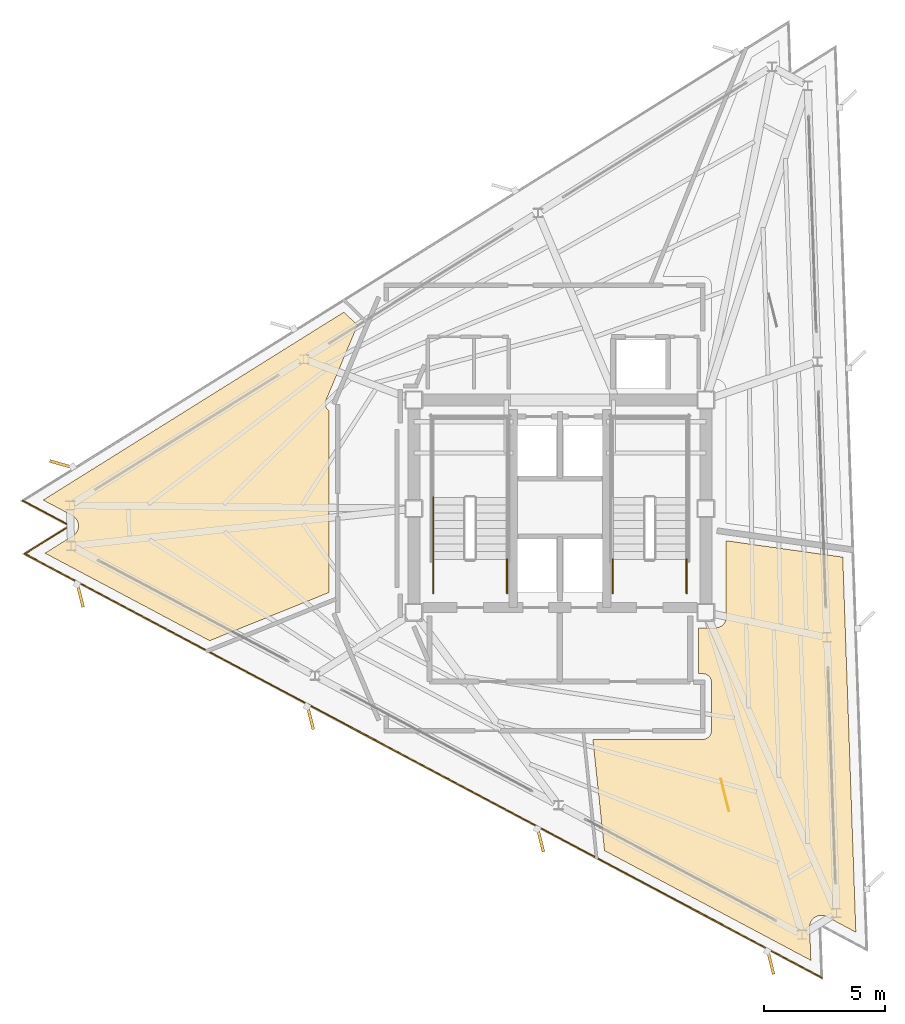
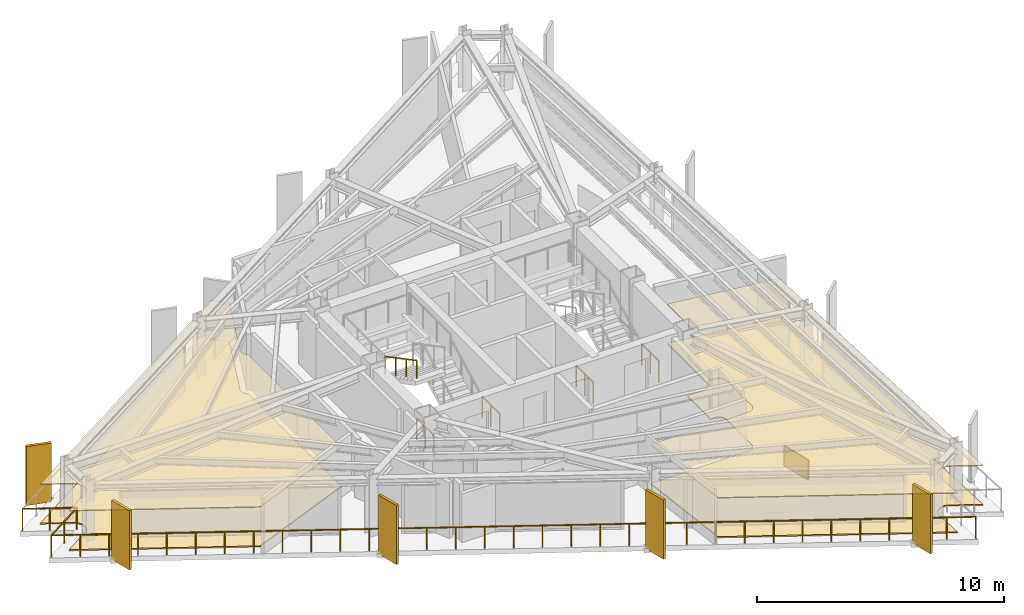
# One storey, part 10 of 12: 6 railings, 5 coverings, 5 shading devices.
"""IFC4 building model written with IfcOpenShell, lengths in metres."""

from ifc_helpers import new_model, si_unit, direction, frame, origin, origin_2d, place, context, subcontext, project, spatial, polyline, rectangle, outline, extrude, material, layer, layer_set, type_object, element, save


model = new_model("IFC4")

# Units and contexts
model_context = context("Model", 3, precision=1e-05, world=origin(), true_north=direction((0.0, 1.0)))
body_context = subcontext(model_context, "Body", "Model", "MODEL_VIEW")
ifc_project = project(units=[si_unit("LENGTHUNIT", "METRE"), si_unit("AREAUNIT", "SQUARE_METRE"), si_unit("VOLUMEUNIT", "CUBIC_METRE"), si_unit("PLANEANGLEUNIT", "RADIAN"), si_unit("MASSUNIT", "GRAM", prefix="KILO")], contexts=[model_context])

# Site, building, storey
site_placement = place(None, origin())
site = spatial("IfcSite", under=ifc_project, at=site_placement, CompositionType="ELEMENT")
building_placement = place(site_placement, origin())
building = spatial("IfcBuilding", under=site, at=building_placement, Name="Rocaltana Carrier Exchange", CompositionType="ELEMENT")
storey_placement = place(building_placement, frame((0.0, 0.0, 205.760009765625)))
storey = spatial("IfcBuildingStorey", under=building, at=storey_placement, Name="L65", CompositionType="ELEMENT", Elevation=205.760009765625)

# Coverings
ifc_material_1 = material(Name="Calcium Sulphate & Aluminium Pedestal", Category="aluminium")
ifc_layer_1 = layer(ifc_material_1, 0.06005859375)
ifc_layer_set_1 = layer_set([ifc_layer_1], Name="Calcium Sulphate & Aluminium Pedestal")
covering_type_1 = type_object("IfcCoveringType", Name="Anti-Static Raised Exchange Access Floor 60", PredefinedType="FLOORING", material=ifc_layer_set_1)
covering_1_placement = place(storey_placement, origin())
element("IfcCovering", 1, at=covering_1_placement, inside=storey, type_object=covering_type_1, Name="L65 Quiet Focus Lounge Finish Floor", PredefinedType="FLOORING", context=body_context, shape_type="SweptSolid", body=[
    extrude(outline(polyline([(5.739990234375, -6.840087890625), (5.739990234375, -4.93994140625), (6.449951171875, -4.93994140625), (6.463623046875, -4.939697265625), (6.4794921875, -4.93896484375), (6.5068359375, -4.936279296875), (6.522216796875, -4.933837890625), (6.54931640625, -4.928466796875), (6.564453125, -4.9248046875), (6.5908203125, -4.916748046875), (6.605712890625, -4.91162109375), (6.630859375, -4.90087890625), (6.64501953125, -4.894287109375), (6.66943359375, -4.88134765625), (6.682861328125, -4.873291015625), (6.705810546875, -4.85791015625), (6.71826171875, -4.8486328125), (6.739501953125, -4.8310546875), (6.751220703125, -4.820556640625), (6.7705078125, -4.80126953125), (6.781005859375, -4.78955078125), (6.798583984375, -4.768310546875), (6.807861328125, -4.755615234375), (6.8232421875, -4.73291015625), (6.831298828125, -4.719482421875), (6.84423828125, -4.695068359375), (6.850830078125, -4.680908203125), (6.861572265625, -4.655517578125), (6.86669921875, -4.640869140625), (6.874755859375, -4.614501953125), (6.87841796875, -4.59912109375), (6.8837890625, -4.572265625), (6.88623046875, -4.556884765625), (6.888916015625, -4.529296875), (6.8896484375, -4.513671875), (6.889892578125, -4.5), (6.889892578125, -1.331787109375), (11.7216796875, -2.010986328125), (12.264404296875, -17.55126953125), (11.055908203125, -16.90869140625), (11.04345703125, -16.902587890625), (11.025390625, -16.89404296875), (10.99951171875, -16.883544921875), (10.980712890625, -16.876708984375), (10.9541015625, -16.868896484375), (10.9345703125, -16.8642578125), (10.9072265625, -16.85888671875), (10.887451171875, -16.856201171875), (10.859619140625, -16.853515625), (10.83984375, -16.852783203125), (10.81201171875, -16.85302734375), (10.7919921875, -16.854248046875), (10.76416015625, -16.857421875), (10.744384765625, -16.860595703125), (10.71728515625, -16.8662109375), (10.697998046875, -16.871337890625), (10.67138671875, -16.8798828125), (10.652587890625, -16.886962890625), (10.627197265625, -16.89794921875), (10.609130859375, -16.906982421875), (10.584716796875, -16.92041015625), (10.56787109375, -16.930908203125), (10.544921875, -16.947021484375), (10.529296875, -16.959228515625), (10.508056640625, -16.977294921875), (10.49365234375, -16.990966796875), (10.474365234375, -17.01123046875), (10.461181640625, -17.0263671875), (10.444091796875, -17.04833984375), (10.4326171875, -17.064697265625), (10.41748046875, -17.088134765625), (10.407958984375, -17.105712890625), (10.3955078125, -17.130615234375), (10.38720703125, -17.148681640625), (10.37744140625, -17.1748046875), (10.37109375, -17.19384765625), (10.364013671875, -17.220703125), (10.359619140625, -17.240234375), (10.35498046875, -17.267822265625), (10.352783203125, -17.28759765625), (10.35107421875, -17.3154296875), (10.350830078125, -17.33544921875), (10.350830078125, -17.349365234375), (10.398681640625, -18.717041015625), (1.8515625, -14.172607421875), (1.36669921875, -9.56005859375), (5.919921875, -9.56005859375), (5.93359375, -9.559814453125), (5.941650390625, -9.559326171875), (5.968994140625, -9.556640625), (5.976806640625, -9.555419921875), (6.003662109375, -9.550048828125), (6.01123046875, -9.548095703125), (6.03759765625, -9.540283203125), (6.044921875, -9.53759765625), (6.0703125, -9.527099609375), (6.077392578125, -9.523681640625), (6.101806640625, -9.5107421875), (6.1083984375, -9.506591796875), (6.131103515625, -9.491455078125), (6.137451171875, -9.48681640625), (6.15869140625, -9.46923828125), (6.16455078125, -9.464111328125), (6.18408203125, -9.444580078125), (6.189208984375, -9.438720703125), (6.206787109375, -9.41748046875), (6.21142578125, -9.4111328125), (6.226806640625, -9.388427734375), (6.230712890625, -9.381591796875), (6.24365234375, -9.357421875), (6.2470703125, -9.350341796875), (6.257568359375, -9.324951171875), (6.26025390625, -9.317626953125), (6.268310546875, -9.291259765625), (6.27001953125, -9.28369140625), (6.275390625, -9.256591796875), (6.276611328125, -9.248779296875), (6.279296875, -9.2216796875), (6.27978515625, -9.213623046875), (6.280029296875, -9.199951171875), (6.280029296875, -7.199951171875), (6.27978515625, -7.186279296875), (6.279296875, -7.178466796875), (6.276611328125, -7.151123046875), (6.275390625, -7.143310546875), (6.27001953125, -7.116455078125), (6.268310546875, -7.108642578125), (6.26025390625, -7.08251953125), (6.257568359375, -7.0751953125), (6.2470703125, -7.0498046875), (6.24365234375, -7.04248046875), (6.230712890625, -7.018310546875), (6.226806640625, -7.01171875), (6.21142578125, -6.98876953125), (6.206787109375, -6.982421875), (6.189208984375, -6.961181640625), (6.18408203125, -6.955322265625), (6.16455078125, -6.93603515625), (6.15869140625, -6.9306640625), (6.137451171875, -6.913330078125), (6.131103515625, -6.90869140625), (6.1083984375, -6.893310546875), (6.101806640625, -6.889404296875), (6.077392578125, -6.876220703125), (6.0703125, -6.873046875), (6.044921875, -6.862548828125), (6.03759765625, -6.85986328125), (6.01123046875, -6.851806640625), (6.003662109375, -6.849853515625), (5.976806640625, -6.844482421875), (5.968994140625, -6.843505859375), (5.941650390625, -6.8408203125), (5.93359375, -6.84033203125), (5.919921875, -6.840087890625), (5.739990234375, -6.840087890625)])), origin(), (0.0, 0.0, 1.0), 0.06005859375),
])
covering_2_placement = place(storey_placement, origin())
element("IfcCovering", 2, at=covering_2_placement, inside=storey, type_object=covering_type_1, Name="L65 Quiet Focus Lounge Finish Floor", PredefinedType="FLOORING", context=body_context, shape_type="SweptSolid", body=[
    extrude(outline(polyline([(-20.17138671875, -1.120361328125), (-20.15966796875, -1.11279296875), (-20.143310546875, -1.101318359375), (-20.121337890625, -1.084228515625), (-20.106201171875, -1.0712890625), (-20.085693359375, -1.052001953125), (-20.072021484375, -1.03759765625), (-20.0537109375, -1.0166015625), (-20.04150390625, -1.000732421875), (-20.025390625, -0.97802734375), (-20.014892578125, -0.961181640625), (-20.001220703125, -0.936767578125), (-19.9921875, -0.9189453125), (-19.98095703125, -0.893310546875), (-19.973876953125, -0.874755859375), (-19.965087890625, -0.848388671875), (-19.9599609375, -0.8291015625), (-19.9541015625, -0.8017578125), (-19.95068359375, -0.781982421875), (-19.947509765625, -0.75439453125), (-19.9462890625, -0.734375), (-19.94580078125, -0.70654296875), (-19.946533203125, -0.6865234375), (-19.948974609375, -0.65869140625), (-19.95166015625, -0.638916015625), (-19.956787109375, -0.611572265625), (-19.96142578125, -0.59228515625), (-19.96923828125, -0.5654296875), (-19.9755859375, -0.546630859375), (-19.986083984375, -0.520751953125), (-19.99462890625, -0.502685546875), (-20.007568359375, -0.477783203125), (-20.017578125, -0.460693359375), (-20.033203125, -0.4375), (-20.044921875, -0.42138671875), (-20.0625, -0.399658203125), (-20.07568359375, -0.385009765625), (-20.095458984375, -0.364990234375), (-20.1103515625, -0.351806640625), (-20.1318359375, -0.333984375), (-20.14794921875, -0.322021484375), (-20.171142578125, -0.306640625), (-20.188232421875, -0.29638671875), (-20.2001953125, -0.28955078125), (-21.40869140625, 0.35302734375), (-8.947265625, 8.139892578125), (-8.384765625, 7.596435546875), (-9.69091796875, 4.489990234375), (-9.69580078125, 4.47705078125), (-9.698486328125, 4.4697265625), (-9.706787109375, 4.443603515625), (-9.70849609375, 4.435791015625), (-9.714111328125, 4.408935546875), (-9.71533203125, 4.401123046875), (-9.71826171875, 4.373779296875), (-9.718505859375, 4.365966796875), (-9.71875, 4.33837890625), (-9.718505859375, 4.330810546875), (-9.7158203125, 4.30322265625), (-9.714599609375, 4.295654296875), (-9.70947265625, 4.2685546875), (-9.70751953125, 4.260986328125), (-9.69970703125, 4.234619140625), (-9.697265625, 4.227294921875), (-9.686767578125, 4.201904296875), (-9.68359375, 4.194580078125), (-9.670654296875, 4.17041015625), (-9.666748046875, 4.16357421875), (-9.651611328125, 4.140625), (-9.64697265625, 4.134521484375), (-9.629638671875, 4.113037109375), (-9.624267578125, 4.107177734375), (-9.60498046875, 4.087646484375), (-9.59912109375, 4.082275390625), (-9.578125, 4.064697265625), (-9.57177734375, 4.06005859375), (-9.56005859375, 4.052001953125), (-9.56005859375, -3.47412109375), (-14.5087890625, -5.4736328125), (-21.33203125, -1.845703125), (-20.17138671875, -1.120361328125)])), origin(), (0.0, 0.0, 1.0), 0.06005859375),
])
ifc_material_2 = material(Name="Mineral Fibre & Powder-Coated Aluminium", Category="aluminium")
ifc_layer_2 = layer(ifc_material_2, 0.044921875)
ifc_layer_set_2 = layer_set([ifc_layer_2], Name="Mineral Fibre & Powder-Coated Aluminium")
covering_type_2 = type_object("IfcCoveringType", Name="Micro-Perforated Acoustic Ceiling 45", PredefinedType="CEILING", material=ifc_layer_set_2)
covering_3_placement = place(storey_placement, frame((0.0, 0.0, 1.94287109375)))
element("IfcCovering", 3, at=covering_3_placement, inside=storey, type_object=covering_type_2, Name="L65 Quiet Focus Lounge Acoustic Ceiling", PredefinedType="CEILING", context=body_context, shape_type="SweptSolid", body=[
    extrude(outline(polyline([(5.739990234375, -6.840087890625), (5.739990234375, -4.93994140625), (6.449951171875, -4.93994140625), (6.463623046875, -4.939697265625), (6.4794921875, -4.93896484375), (6.5068359375, -4.936279296875), (6.522216796875, -4.933837890625), (6.54931640625, -4.928466796875), (6.564453125, -4.9248046875), (6.5908203125, -4.916748046875), (6.605712890625, -4.91162109375), (6.630859375, -4.90087890625), (6.64501953125, -4.894287109375), (6.66943359375, -4.88134765625), (6.682861328125, -4.873291015625), (6.705810546875, -4.85791015625), (6.71826171875, -4.8486328125), (6.739501953125, -4.8310546875), (6.751220703125, -4.820556640625), (6.7705078125, -4.80126953125), (6.781005859375, -4.78955078125), (6.798583984375, -4.768310546875), (6.807861328125, -4.755615234375), (6.8232421875, -4.73291015625), (6.831298828125, -4.719482421875), (6.84423828125, -4.695068359375), (6.850830078125, -4.680908203125), (6.861572265625, -4.655517578125), (6.86669921875, -4.640869140625), (6.874755859375, -4.614501953125), (6.87841796875, -4.59912109375), (6.8837890625, -4.572265625), (6.88623046875, -4.556884765625), (6.888916015625, -4.529296875), (6.8896484375, -4.513671875), (6.889892578125, -4.5), (6.889892578125, -1.331787109375), (11.7216796875, -2.010986328125), (12.264404296875, -17.55126953125), (11.055908203125, -16.90869140625), (11.04345703125, -16.902587890625), (11.025390625, -16.89404296875), (10.99951171875, -16.883544921875), (10.980712890625, -16.876708984375), (10.9541015625, -16.868896484375), (10.9345703125, -16.8642578125), (10.9072265625, -16.85888671875), (10.887451171875, -16.856201171875), (10.859619140625, -16.853515625), (10.83984375, -16.852783203125), (10.81201171875, -16.85302734375), (10.7919921875, -16.854248046875), (10.76416015625, -16.857421875), (10.744384765625, -16.860595703125), (10.71728515625, -16.8662109375), (10.697998046875, -16.871337890625), (10.67138671875, -16.8798828125), (10.652587890625, -16.886962890625), (10.627197265625, -16.89794921875), (10.609130859375, -16.906982421875), (10.584716796875, -16.92041015625), (10.56787109375, -16.930908203125), (10.544921875, -16.947021484375), (10.529296875, -16.959228515625), (10.508056640625, -16.977294921875), (10.49365234375, -16.990966796875), (10.474365234375, -17.01123046875), (10.461181640625, -17.0263671875), (10.444091796875, -17.04833984375), (10.4326171875, -17.064697265625), (10.41748046875, -17.088134765625), (10.407958984375, -17.105712890625), (10.3955078125, -17.130615234375), (10.38720703125, -17.148681640625), (10.37744140625, -17.1748046875), (10.37109375, -17.19384765625), (10.364013671875, -17.220703125), (10.359619140625, -17.240234375), (10.35498046875, -17.267822265625), (10.352783203125, -17.28759765625), (10.35107421875, -17.3154296875), (10.350830078125, -17.33544921875), (10.350830078125, -17.349365234375), (10.398681640625, -18.717041015625), (1.8515625, -14.172607421875), (1.36669921875, -9.56005859375), (5.919921875, -9.56005859375), (5.93359375, -9.559814453125), (5.941650390625, -9.559326171875), (5.968994140625, -9.556640625), (5.976806640625, -9.555419921875), (6.003662109375, -9.550048828125), (6.01123046875, -9.548095703125), (6.03759765625, -9.540283203125), (6.044921875, -9.53759765625), (6.0703125, -9.527099609375), (6.077392578125, -9.523681640625), (6.101806640625, -9.5107421875), (6.1083984375, -9.506591796875), (6.131103515625, -9.491455078125), (6.137451171875, -9.48681640625), (6.15869140625, -9.46923828125), (6.16455078125, -9.464111328125), (6.18408203125, -9.444580078125), (6.189208984375, -9.438720703125), (6.206787109375, -9.41748046875), (6.21142578125, -9.4111328125), (6.226806640625, -9.388427734375), (6.230712890625, -9.381591796875), (6.24365234375, -9.357421875), (6.2470703125, -9.350341796875), (6.257568359375, -9.324951171875), (6.26025390625, -9.317626953125), (6.268310546875, -9.291259765625), (6.27001953125, -9.28369140625), (6.275390625, -9.256591796875), (6.276611328125, -9.248779296875), (6.279296875, -9.2216796875), (6.27978515625, -9.213623046875), (6.280029296875, -9.199951171875), (6.280029296875, -7.199951171875), (6.27978515625, -7.186279296875), (6.279296875, -7.178466796875), (6.276611328125, -7.151123046875), (6.275390625, -7.143310546875), (6.27001953125, -7.116455078125), (6.268310546875, -7.108642578125), (6.26025390625, -7.08251953125), (6.257568359375, -7.0751953125), (6.2470703125, -7.0498046875), (6.24365234375, -7.04248046875), (6.230712890625, -7.018310546875), (6.226806640625, -7.01171875), (6.21142578125, -6.98876953125), (6.206787109375, -6.982421875), (6.189208984375, -6.961181640625), (6.18408203125, -6.955322265625), (6.16455078125, -6.93603515625), (6.15869140625, -6.9306640625), (6.137451171875, -6.913330078125), (6.131103515625, -6.90869140625), (6.1083984375, -6.893310546875), (6.101806640625, -6.889404296875), (6.077392578125, -6.876220703125), (6.0703125, -6.873046875), (6.044921875, -6.862548828125), (6.03759765625, -6.85986328125), (6.01123046875, -6.851806640625), (6.003662109375, -6.849853515625), (5.976806640625, -6.844482421875), (5.968994140625, -6.843505859375), (5.941650390625, -6.8408203125), (5.93359375, -6.84033203125), (5.919921875, -6.840087890625), (5.739990234375, -6.840087890625)])), origin(), (0.0, 0.0, 1.0), 0.045166015625),
])
covering_4_placement = place(storey_placement, frame((0.0, 0.0, 1.94287109375)))
element("IfcCovering", 4, at=covering_4_placement, inside=storey, type_object=covering_type_2, Name="L65 Quiet Focus Lounge Acoustic Ceiling", PredefinedType="CEILING", context=body_context, shape_type="SweptSolid", body=[
    extrude(outline(polyline([(-20.17138671875, -1.120361328125), (-20.15966796875, -1.11279296875), (-20.143310546875, -1.101318359375), (-20.121337890625, -1.084228515625), (-20.106201171875, -1.0712890625), (-20.085693359375, -1.052001953125), (-20.072021484375, -1.03759765625), (-20.0537109375, -1.0166015625), (-20.04150390625, -1.000732421875), (-20.025390625, -0.97802734375), (-20.014892578125, -0.961181640625), (-20.001220703125, -0.936767578125), (-19.9921875, -0.9189453125), (-19.98095703125, -0.893310546875), (-19.973876953125, -0.874755859375), (-19.965087890625, -0.848388671875), (-19.9599609375, -0.8291015625), (-19.9541015625, -0.8017578125), (-19.95068359375, -0.781982421875), (-19.947509765625, -0.75439453125), (-19.9462890625, -0.734375), (-19.94580078125, -0.70654296875), (-19.946533203125, -0.6865234375), (-19.948974609375, -0.65869140625), (-19.95166015625, -0.638916015625), (-19.956787109375, -0.611572265625), (-19.96142578125, -0.59228515625), (-19.96923828125, -0.5654296875), (-19.9755859375, -0.546630859375), (-19.986083984375, -0.520751953125), (-19.99462890625, -0.502685546875), (-20.007568359375, -0.477783203125), (-20.017578125, -0.460693359375), (-20.033203125, -0.4375), (-20.044921875, -0.42138671875), (-20.0625, -0.399658203125), (-20.07568359375, -0.385009765625), (-20.095458984375, -0.364990234375), (-20.1103515625, -0.351806640625), (-20.1318359375, -0.333984375), (-20.14794921875, -0.322021484375), (-20.171142578125, -0.306640625), (-20.188232421875, -0.29638671875), (-20.2001953125, -0.28955078125), (-21.40869140625, 0.35302734375), (-8.947265625, 8.139892578125), (-8.384765625, 7.596435546875), (-9.69091796875, 4.489990234375), (-9.69580078125, 4.47705078125), (-9.698486328125, 4.4697265625), (-9.706787109375, 4.443603515625), (-9.70849609375, 4.435791015625), (-9.714111328125, 4.408935546875), (-9.71533203125, 4.401123046875), (-9.71826171875, 4.373779296875), (-9.718505859375, 4.365966796875), (-9.71875, 4.33837890625), (-9.718505859375, 4.330810546875), (-9.7158203125, 4.30322265625), (-9.714599609375, 4.295654296875), (-9.70947265625, 4.2685546875), (-9.70751953125, 4.260986328125), (-9.69970703125, 4.234619140625), (-9.697265625, 4.227294921875), (-9.686767578125, 4.201904296875), (-9.68359375, 4.194580078125), (-9.670654296875, 4.17041015625), (-9.666748046875, 4.16357421875), (-9.651611328125, 4.140625), (-9.64697265625, 4.134521484375), (-9.629638671875, 4.113037109375), (-9.624267578125, 4.107177734375), (-9.60498046875, 4.087646484375), (-9.59912109375, 4.082275390625), (-9.578125, 4.064697265625), (-9.57177734375, 4.06005859375), (-9.56005859375, 4.052001953125), (-9.56005859375, -3.47412109375), (-14.5087890625, -5.4736328125), (-21.33203125, -1.845703125), (-20.17138671875, -1.120361328125)])), origin(), (0.0, 0.0, 1.0), 0.045166015625),
])

# Railings
ifc_material_3 = material(Name="Brushed Architectural Stainless Tube", Category="steel")
ifc_layer_3 = layer(ifc_material_3, 0.048095703125)
ifc_layer_set_3 = layer_set([ifc_layer_3], Name="Brushed Architectural Stainless Tube")
railing_type_1 = type_object("IfcRailingType", Name="Stair Wall Handrail 920", PredefinedType="HANDRAIL", material=ifc_layer_set_3)
railing_1_placement = place(storey_placement, frame((-5.25, 0.4599609375, 1.68896484375)))
element("IfcRailing", 5, at=railing_1_placement, inside=storey, type_object=railing_type_1, Name="L65 ST-1 stair handrail 2", PredefinedType="HANDRAIL", context=body_context, shape_type="SweptSolid", body=[
    extrude(rectangle(XDim=0.048095703125, YDim=0.048095703125, at=origin_2d()), frame((0.0, 0.0, 0.8759765625), z_axis=(0.0, -0.884394423565, 0.466740295633), x_axis=(1.0, 0.0, 0.0)), (0.0, 0.0, 1.0), 2.894775390625),
    extrude(rectangle(XDim=0.0419921875, YDim=0.0419921875, at=origin_2d()), origin(), (0.0, 0.0, 1.0), 0.851806640625),
    extrude(rectangle(XDim=0.0419921875, YDim=0.0419921875, at=origin_2d()), frame((0.0, -0.853271484375, 0.450439453125)), (0.0, 0.0, 1.0), 0.851806640625),
    extrude(rectangle(XDim=0.0419921875, YDim=0.0419921875, at=origin_2d()), frame((0.0, -1.706787109375, 0.900634765625)), (0.0, 0.0, 1.0), 0.851806640625),
    extrude(rectangle(XDim=0.0419921875, YDim=0.0419921875, at=origin_2d()), frame((0.0, -2.56005859375, 1.35107421875)), (0.0, 0.0, 1.0), 0.851806640625),
])
ifc_material_4 = material(Name="Powder-Coated Aluminium 6063-T6", Category="aluminium")
ifc_layer_4 = layer(ifc_material_4, 0.048095703125)
ifc_layer_set_4 = layer_set([ifc_layer_4], Name="Powder-Coated Aluminium 6063-T6")
railing_type_2 = type_object("IfcRailingType", Name="Stair Well Guardrail 1100", PredefinedType="GUARDRAIL", material=ifc_layer_set_4)
for number, where, name in (
    (6, (-2.18994140625, -3.5, 0.0), "L65 ST-1 stair guard 8"),
    (7, (-5.25, -3.5, 0.0), "L65 ST-1 stair guard 9"),
    (8, (5.25, -3.5, 0.0), "L65 ST-2 stair guard 8"),
    (9, (2.18994140625, -3.5, 0.0), "L65 ST-2 stair guard 9"),
):
    element("IfcRailing", number, at=place(storey_placement, frame(where)), inside=storey, type_object=railing_type_2, Name=name, PredefinedType="GUARDRAIL", context=body_context, shape_type="SweptSolid", body=[
        extrude(rectangle(XDim=0.048095703125, YDim=0.048095703125, at=origin_2d()), frame((0.0, 0.0, 1.076171875), z_axis=(0.0, 1.0, 0.0), x_axis=(-1.0, 0.0, 0.0)), (0.0, 0.0, 1.0), 1.39990234375),
        extrude(rectangle(XDim=0.0419921875, YDim=0.0419921875, at=origin_2d()), origin(), (0.0, 0.0, 1.0), 1.052001953125),
        extrude(rectangle(XDim=0.0419921875, YDim=0.0419921875, at=origin_2d()), frame((0.0, 0.699951171875, 0.0)), (0.0, 0.0, 1.0), 1.052001953125),
        extrude(rectangle(XDim=0.0419921875, YDim=0.0419921875, at=origin_2d()), frame((0.0, 1.39990234375, 0.0)), (0.0, 0.0, 1.0), 1.052001953125),
    ])

# Covering
ifc_material_5 = material(Name="Honed Piedra Muneca Sandstone", Category="masonry")
ifc_layer_5 = layer(ifc_material_5, 0.034912109375)
ifc_layer_set_5 = layer_set([ifc_layer_5], Name="Honed Piedra Muneca Sandstone")
covering_type_3 = type_object("IfcCoveringType", Name="Stone Facade Cladding 35", PredefinedType="CLADDING", material=ifc_layer_set_5)
covering_5_placement = place(storey_placement, frame((6.83740234375, -11.8662109375, 0.0), z_axis=(0.0, 0.0, 1.0), x_axis=(-0.2419218956, 0.970295726276, 0.0)))
element("IfcCovering", 10, at=covering_5_placement, inside=storey, type_object=covering_type_3, Name="L65 Stone Facade Cladding Panel 2", PredefinedType="CLADDING", context=body_context, shape_type="SweptSolid", body=[
    extrude(rectangle(XDim=1.39990234375, YDim=0.034912109375, at=origin_2d()), origin(), (0.0, 0.0, 1.0), 1.050048828125),
])

# Shading devices
ifc_material_6 = material(Name="Honed Bogota Sandstone & Concrete C45/55", Category="masonry")
ifc_layer_6 = layer(ifc_material_6, 0.1201171875)
ifc_layer_set_6 = layer_set([ifc_layer_6], Name="Honed Bogota Sandstone & Concrete C45/55")
shading_device_type = type_object("IfcShadingDeviceType", Name="Upper Sandstone Shading Fin 1050x120", PredefinedType="USERDEFINED", material=ifc_layer_set_6)
for number, where, z_axis, x_axis, name in (
    (11, (-20.62939453125, 1.8310546875, -0.119873046875), (0.0, 0.0, 1.0), (-0.961261695938, 0.275637355817, 0.0), "L65 Sandstone Vertical Fin F2-04"),
    (12, (-19.87841796875, -3.5703125, -0.119873046875), (0.0, 0.0, 1.0), (0.2419218956, -0.970295726276, 0.0), "L65 Sandstone Vertical Fin F3-01"),
    (13, (-10.342529296875, -8.640625, -0.119873046875), (0.0, 0.0, 1.0), (0.2419218956, -0.970295726276, 0.0), "L65 Sandstone Vertical Fin F3-02"),
    (14, (-0.806884765625, -13.7109375, -0.119873046875), (0.0, 0.0, 1.0), (0.2419218956, -0.970295726276, 0.0), "L65 Sandstone Vertical Fin F3-03"),
    (15, (8.72900390625, -18.78125, -0.119873046875), (0.0, 0.0, 1.0), (0.2419218956, -0.970295726276, 0.0), "L65 Sandstone Vertical Fin F3-04"),
):
    element("IfcShadingDevice", number, at=place(storey_placement, frame(where, z_axis=z_axis, x_axis=x_axis)), inside=storey, type_object=shading_device_type, Name=name, ObjectType="FIN", PredefinedType="USERDEFINED", context=body_context, shape_type="SweptSolid", body=[
        extrude(rectangle(XDim=1.050048828125, YDim=0.1201171875, at=origin_2d()), origin(), (0.0, 0.0, 1.0), 2.91796875),
    ])

# Railing
ifc_material_7 = material(Name="Powder-Coated Aluminium 6063-T6", Category="aluminium")
ifc_layer_7 = layer(ifc_material_7, 0.06005859375)
ifc_layer_set_7 = layer_set([ifc_layer_7], Name="Powder-Coated Aluminium 6063-T6")
railing_type_3 = type_object("IfcRailingType", Name="Wind-Floor & Terrace Perimeter Guardrail 1100", PredefinedType="GUARDRAIL", material=ifc_layer_set_7)
railing_2_placement = place(storey_placement, frame((10.84375, -19.429443359375, 0.0)))
element("IfcRailing", 16, at=railing_2_placement, inside=storey, type_object=railing_type_3, Name="L65 Perimeter Balcony Guardrail 1", PredefinedType="GUARDRAIL", context=body_context, shape_type="SweptSolid", body=[
    extrude(rectangle(XDim=0.048095703125, YDim=0.048095703125, at=origin_2d()), frame((0.0, 0.0, 1.076171875), z_axis=(-0.882949211739, 0.469468518103, 0.0), x_axis=(-0.469468518103, -0.882949211739, 0.0)), (0.0, 0.0, 1.0), 37.39208984375),
    extrude(rectangle(XDim=0.048095703125, YDim=0.048095703125, at=origin_2d()), frame((-33.015380859375, 17.554443359375, 1.076171875), z_axis=(0.848010771987, 0.52997899071, 0.0), x_axis=(-0.52997899071, 0.848010771987, 0.0)), (0.0, 0.0, 1.0), 2.2001953125),
    extrude(rectangle(XDim=0.048095703125, YDim=0.048095703125, at=origin_2d()), frame((-31.149658203125, 18.720458984375, 1.076171875), z_axis=(-0.882960484464, 0.4694473164, 0.0), x_axis=(-0.4694473164, -0.882960484464, 0.0)), (0.0, 0.0, 1.0), 2.199951171875),
    extrude(rectangle(XDim=0.0419921875, YDim=0.0419921875, at=origin_2d()), origin(), (0.0, 0.0, 1.0), 1.052001953125),
    extrude(rectangle(XDim=0.0419921875, YDim=0.0419921875, at=origin_2d()), frame((-1.03173828125, 0.548583984375, 0.0)), (0.0, 0.0, 1.0), 1.052001953125),
    extrude(rectangle(XDim=0.0419921875, YDim=0.0419921875, at=origin_2d()), frame((-2.0634765625, 1.09716796875, 0.0)), (0.0, 0.0, 1.0), 1.052001953125),
    extrude(rectangle(XDim=0.0419921875, YDim=0.0419921875, at=origin_2d()), frame((-3.09521484375, 1.645751953125, 0.0)), (0.0, 0.0, 1.0), 1.052001953125),
    extrude(rectangle(XDim=0.0419921875, YDim=0.0419921875, at=origin_2d()), frame((-4.126953125, 2.1943359375, 0.0)), (0.0, 0.0, 1.0), 1.052001953125),
    extrude(rectangle(XDim=0.0419921875, YDim=0.0419921875, at=origin_2d()), frame((-5.15869140625, 2.742919921875, 0.0)), (0.0, 0.0, 1.0), 1.052001953125),
    extrude(rectangle(XDim=0.0419921875, YDim=0.0419921875, at=origin_2d()), frame((-6.1904296875, 3.29150390625, 0.0)), (0.0, 0.0, 1.0), 1.052001953125),
    extrude(rectangle(XDim=0.0419921875, YDim=0.0419921875, at=origin_2d()), frame((-7.22216796875, 3.840087890625, 0.0)), (0.0, 0.0, 1.0), 1.052001953125),
    extrude(rectangle(XDim=0.0419921875, YDim=0.0419921875, at=origin_2d()), frame((-8.25390625, 4.388671875, 0.0)), (0.0, 0.0, 1.0), 1.052001953125),
    extrude(rectangle(XDim=0.0419921875, YDim=0.0419921875, at=origin_2d()), frame((-9.28564453125, 4.937255859375, 0.0)), (0.0, 0.0, 1.0), 1.052001953125),
    extrude(rectangle(XDim=0.0419921875, YDim=0.0419921875, at=origin_2d()), frame((-10.3173828125, 5.48583984375, 0.0)), (0.0, 0.0, 1.0), 1.052001953125),
    extrude(rectangle(XDim=0.0419921875, YDim=0.0419921875, at=origin_2d()), frame((-11.34912109375, 6.034423828125, 0.0)), (0.0, 0.0, 1.0), 1.052001953125),
    extrude(rectangle(XDim=0.0419921875, YDim=0.0419921875, at=origin_2d()), frame((-12.380859375, 6.5830078125, 0.0)), (0.0, 0.0, 1.0), 1.052001953125),
    extrude(rectangle(XDim=0.0419921875, YDim=0.0419921875, at=origin_2d()), frame((-13.41259765625, 7.131591796875, 0.0)), (0.0, 0.0, 1.0), 1.052001953125),
    extrude(rectangle(XDim=0.0419921875, YDim=0.0419921875, at=origin_2d()), frame((-14.4443359375, 7.68017578125, 0.0)), (0.0, 0.0, 1.0), 1.052001953125),
    extrude(rectangle(XDim=0.0419921875, YDim=0.0419921875, at=origin_2d()), frame((-15.47607421875, 8.228759765625, 0.0)), (0.0, 0.0, 1.0), 1.052001953125),
    extrude(rectangle(XDim=0.0419921875, YDim=0.0419921875, at=origin_2d()), frame((-16.5078125, 8.77734375, 0.0)), (0.0, 0.0, 1.0), 1.052001953125),
    extrude(rectangle(XDim=0.0419921875, YDim=0.0419921875, at=origin_2d()), frame((-17.539306640625, 9.32568359375, 0.0)), (0.0, 0.0, 1.0), 1.052001953125),
    extrude(rectangle(XDim=0.0419921875, YDim=0.0419921875, at=origin_2d()), frame((-18.571044921875, 9.874267578125, 0.0)), (0.0, 0.0, 1.0), 1.052001953125),
    extrude(rectangle(XDim=0.0419921875, YDim=0.0419921875, at=origin_2d()), frame((-19.602783203125, 10.4228515625, 0.0)), (0.0, 0.0, 1.0), 1.052001953125),
    extrude(rectangle(XDim=0.0419921875, YDim=0.0419921875, at=origin_2d()), frame((-20.634521484375, 10.971435546875, 0.0)), (0.0, 0.0, 1.0), 1.052001953125),
    extrude(rectangle(XDim=0.0419921875, YDim=0.0419921875, at=origin_2d()), frame((-21.666259765625, 11.52001953125, 0.0)), (0.0, 0.0, 1.0), 1.052001953125),
    extrude(rectangle(XDim=0.0419921875, YDim=0.0419921875, at=origin_2d()), frame((-22.697998046875, 12.068603515625, 0.0)), (0.0, 0.0, 1.0), 1.052001953125),
    extrude(rectangle(XDim=0.0419921875, YDim=0.0419921875, at=origin_2d()), frame((-23.729736328125, 12.6171875, 0.0)), (0.0, 0.0, 1.0), 1.052001953125),
    extrude(rectangle(XDim=0.0419921875, YDim=0.0419921875, at=origin_2d()), frame((-24.761474609375, 13.165771484375, 0.0)), (0.0, 0.0, 1.0), 1.052001953125),
    extrude(rectangle(XDim=0.0419921875, YDim=0.0419921875, at=origin_2d()), frame((-25.793212890625, 13.71435546875, 0.0)), (0.0, 0.0, 1.0), 1.052001953125),
    extrude(rectangle(XDim=0.0419921875, YDim=0.0419921875, at=origin_2d()), frame((-26.824951171875, 14.262939453125, 0.0)), (0.0, 0.0, 1.0), 1.052001953125),
    extrude(rectangle(XDim=0.0419921875, YDim=0.0419921875, at=origin_2d()), frame((-27.856689453125, 14.8115234375, 0.0)), (0.0, 0.0, 1.0), 1.052001953125),
    extrude(rectangle(XDim=0.0419921875, YDim=0.0419921875, at=origin_2d()), frame((-28.888427734375, 15.360107421875, 0.0)), (0.0, 0.0, 1.0), 1.052001953125),
    extrude(rectangle(XDim=0.0419921875, YDim=0.0419921875, at=origin_2d()), frame((-29.920166015625, 15.90869140625, 0.0)), (0.0, 0.0, 1.0), 1.052001953125),
    extrude(rectangle(XDim=0.0419921875, YDim=0.0419921875, at=origin_2d()), frame((-30.951904296875, 16.457275390625, 0.0)), (0.0, 0.0, 1.0), 1.052001953125),
    extrude(rectangle(XDim=0.0419921875, YDim=0.0419921875, at=origin_2d()), frame((-31.983642578125, 17.005859375, 0.0)), (0.0, 0.0, 1.0), 1.052001953125),
    extrude(rectangle(XDim=0.0419921875, YDim=0.0419921875, at=origin_2d()), frame((-33.015380859375, 17.554443359375, 0.0)), (0.0, 0.0, 1.0), 1.052001953125),
    extrude(rectangle(XDim=0.0419921875, YDim=0.0419921875, at=origin_2d()), frame((-32.08251953125, 18.137451171875, 0.0)), (0.0, 0.0, 1.0), 1.052001953125),
    extrude(rectangle(XDim=0.0419921875, YDim=0.0419921875, at=origin_2d()), frame((-31.149658203125, 18.720458984375, 0.0)), (0.0, 0.0, 1.0), 1.052001953125),
    extrude(rectangle(XDim=0.0419921875, YDim=0.0419921875, at=origin_2d()), frame((-32.120849609375, 19.23681640625, 0.0)), (0.0, 0.0, 1.0), 1.052001953125),
    extrude(rectangle(XDim=0.0419921875, YDim=0.0419921875, at=origin_2d()), frame((-33.092041015625, 19.753173828125, 0.0)), (0.0, 0.0, 1.0), 1.052001953125),
])

save(model, "model.ifc")
